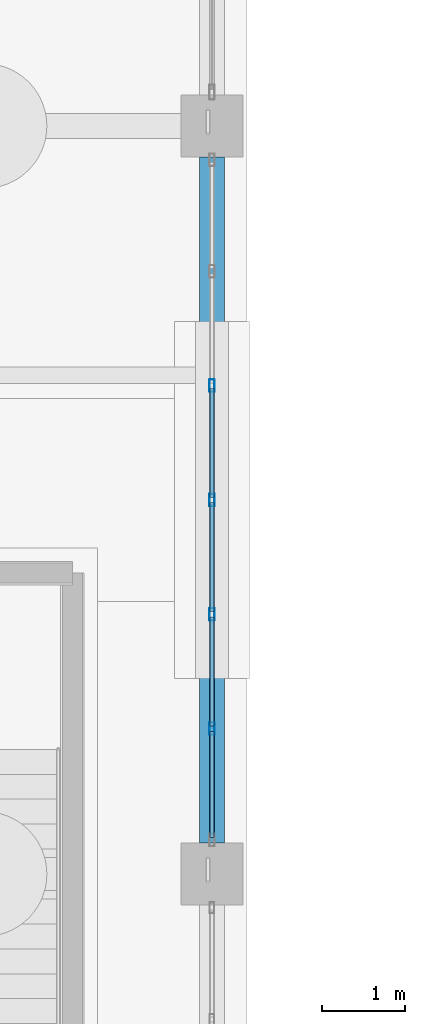
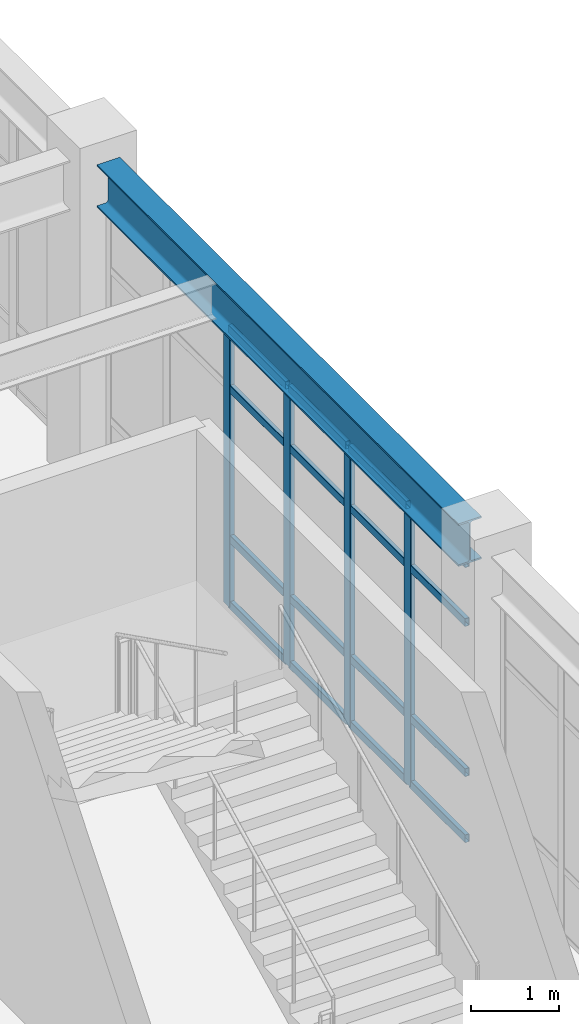
# One storey, part 75 of 139: 20 members, 1 beam, 1 element without a shape of its own.
"""IFC4 building model written with IfcOpenShell, lengths in metres."""

from ifc_helpers import new_model, si_unit, direction, frame, origin, origin_2d, place, context, subcontext, project, spatial, hollow_rectangle, i_section, extrude, material, material_profile, profile_set, type_object, element, aggregate, save


model = new_model("IFC4")

# Units and contexts
model_context = context("Model", 3, precision=1e-05, world=origin(), true_north=direction((0.0, 1.0)))
body_context = subcontext(model_context, "Body", "Model", "MODEL_VIEW")
ifc_project = project(units=[si_unit("LENGTHUNIT", "METRE"), si_unit("AREAUNIT", "SQUARE_METRE"), si_unit("VOLUMEUNIT", "CUBIC_METRE"), si_unit("PLANEANGLEUNIT", "RADIAN"), si_unit("MASSUNIT", "GRAM", prefix="KILO")], contexts=[model_context])

# Site, building, storey
site_placement = place(None, origin())
site = spatial("IfcSite", under=ifc_project, at=site_placement, CompositionType="ELEMENT")
building_placement = place(site_placement, origin())
building = spatial("IfcBuilding", under=site, at=building_placement, Name="Canglan Escarpment Cableway Terminal", CompositionType="ELEMENT")
storey_placement = place(building_placement, frame((0.0, 0.0, 14.39990234375)))
storey = spatial("IfcBuildingStorey", under=building, at=storey_placement, Name="L03", CompositionType="ELEMENT", Elevation=14.39990234375)

# Beam
ifc_material_1 = material(Name="Steel Q355C", Category="steel")
ifc_material_profile_1 = material_profile(ifc_material_1, i_section(OverallWidth=0.302001953125, OverallDepth=0.593994140625, WebThickness=0.013916015625, FlangeThickness=0.02294921875, FilletRadius=0.028076171875, at=origin_2d()), Name="HM 594x302x14x23")
ifc_profile_set_1 = profile_set([ifc_material_profile_1], Name="Steel Q355C")
beam_type = type_object("IfcBeamType", Name="BM-HM594", PredefinedType="BEAM", material=ifc_profile_set_1)
beam_placement = place(storey_placement, frame((166.39990234375, 97.375, 4.203125), z_axis=(0.0, 1.0, 0.0), x_axis=(-1.0, 0.0, 0.0)))
element("IfcBeam", 1, at=beam_placement, inside=storey, type_object=beam_type, Name="Primary transverse girder B-07", PredefinedType="BEAM", context=body_context, shape_type="SweptSolid", body=[
    extrude(i_section(OverallWidth=0.302001953125, OverallDepth=0.593994140625, WebThickness=0.013916015625, FlangeThickness=0.02294921875, FilletRadius=0.028076171875, at=origin_2d()), origin(), (0.0, 0.0, 1.0), 8.25),
])

# Curtain wall, members
ifc_material_2 = material(Name="Anodized bronze aluminium and Low-E double glazing", Category="aluminium")
curtain_wall_type = type_object("IfcCurtainWallType", Name="CW-BAY-8250x3900", PredefinedType="NOTDEFINED", material=ifc_material_2)
curtain_wall_placement = place(storey_placement, origin())
curtain_wall = element("IfcCurtainWall", 2, at=curtain_wall_placement, inside=storey, type_object=curtain_wall_type, Name="Classical bay-between-piers glazed curtain wall CW-62", PredefinedType="NOTDEFINED")
ifc_material_3 = material(Name="Thermally broken anodized aluminium 6063-T6", Category="aluminium")
ifc_material_profile_2 = material_profile(ifc_material_3, hollow_rectangle(XDim=0.06494140625, YDim=0.14990234375, WallThickness=0.00341796875, InnerFilletRadius=0.00341796875, OuterFilletRadius=0.007080078125, at=origin_2d()), Name="ALU-MULL 65x150x3.5")
ifc_profile_set_2 = profile_set([ifc_material_profile_2], Name="Thermally broken anodized aluminium 6063-T6")
member_type_1 = type_object("IfcMemberType", Name="CWM-02", PredefinedType="MULLION", material=ifc_profile_set_2)
member_1_placement = place(storey_placement, frame((166.39990234375, 98.75, 0.0), z_axis=(0.0, 0.0, 1.0), x_axis=(-1.0, 0.0, 0.0)))
member_1 = element("IfcMember", 3, at=member_1_placement, type_object=member_type_1, Name="CW-62 mullion 2", PredefinedType="MULLION", context=body_context, shape_type="SweptSolid", body=[
    extrude(hollow_rectangle(XDim=0.06494140625, YDim=0.14990234375, WallThickness=0.00341796875, InnerFilletRadius=0.00341796875, OuterFilletRadius=0.007080078125, at=origin_2d()), origin(), (0.0, 0.0, 1.0), 3.89111328125),
])
member_2_placement = place(storey_placement, frame((166.39990234375, 100.125, 0.0), z_axis=(0.0, 0.0, 1.0), x_axis=(-1.0, 0.0, 0.0)))
member_2 = element("IfcMember", 4, at=member_2_placement, type_object=member_type_1, Name="CW-62 mullion 3", PredefinedType="MULLION", context=body_context, shape_type="SweptSolid", body=[
    extrude(hollow_rectangle(XDim=0.06494140625, YDim=0.14990234375, WallThickness=0.00341796875, InnerFilletRadius=0.00341796875, OuterFilletRadius=0.007080078125, at=origin_2d()), origin(), (0.0, 0.0, 1.0), 3.89111328125),
])
member_3_placement = place(storey_placement, frame((166.39990234375, 101.5, 0.0), z_axis=(0.0, 0.0, 1.0), x_axis=(-1.0, 0.0, 0.0)))
member_3 = element("IfcMember", 5, at=member_3_placement, type_object=member_type_1, Name="CW-62 mullion 4", PredefinedType="MULLION", context=body_context, shape_type="SweptSolid", body=[
    extrude(hollow_rectangle(XDim=0.06494140625, YDim=0.14990234375, WallThickness=0.00341796875, InnerFilletRadius=0.00341796875, OuterFilletRadius=0.007080078125, at=origin_2d()), origin(), (0.0, 0.0, 1.0), 3.89111328125),
])
member_4_placement = place(storey_placement, frame((166.39990234375, 102.875, 0.0), z_axis=(0.0, 0.0, 1.0), x_axis=(-1.0, 0.0, 0.0)))
member_4 = element("IfcMember", 6, at=member_4_placement, type_object=member_type_1, Name="CW-62 mullion 5", PredefinedType="MULLION", context=body_context, shape_type="SweptSolid", body=[
    extrude(hollow_rectangle(XDim=0.06494140625, YDim=0.14990234375, WallThickness=0.00341796875, InnerFilletRadius=0.00341796875, OuterFilletRadius=0.007080078125, at=origin_2d()), origin(), (0.0, 0.0, 1.0), 3.89111328125),
])
ifc_material_profile_3 = material_profile(ifc_material_3, hollow_rectangle(XDim=0.06005859375, YDim=0.110107421875, WallThickness=0.0029296875, InnerFilletRadius=0.0029296875, OuterFilletRadius=0.006103515625, at=origin_2d()), Name="ALU-TRAN 60x110x3")
ifc_profile_set_3 = profile_set([ifc_material_profile_3], Name="Thermally broken anodized aluminium 6063-T6")
member_type_2 = type_object("IfcMemberType", Name="CWT-02", PredefinedType="USERDEFINED", material=ifc_profile_set_3)
member_5_placement = place(storey_placement, frame((166.39990234375, 97.43994140625, 0.030029296875), z_axis=(0.0, 1.0, 0.0), x_axis=(-1.0, 0.0, 0.0)))
member_5 = element("IfcMember", 7, at=member_5_placement, type_object=member_type_2, Name="CW-62 transom 1.1", ObjectType="TRANSOM", PredefinedType="USERDEFINED", context=body_context, shape_type="SweptSolid", body=[
    extrude(hollow_rectangle(XDim=0.06005859375, YDim=0.110107421875, WallThickness=0.0029296875, InnerFilletRadius=0.0029296875, OuterFilletRadius=0.006103515625, at=origin_2d()), origin(), (0.0, 0.0, 1.0), 1.277587890625),
])
member_6_placement = place(storey_placement, frame((166.39990234375, 97.43994140625, 0.9501953125), z_axis=(0.0, 1.0, 0.0), x_axis=(-1.0, 0.0, 0.0)))
member_6 = element("IfcMember", 8, at=member_6_placement, type_object=member_type_2, Name="CW-62 transom 1.2", ObjectType="TRANSOM", PredefinedType="USERDEFINED", context=body_context, shape_type="SweptSolid", body=[
    extrude(hollow_rectangle(XDim=0.06005859375, YDim=0.110107421875, WallThickness=0.0029296875, InnerFilletRadius=0.0029296875, OuterFilletRadius=0.006103515625, at=origin_2d()), origin(), (0.0, 0.0, 1.0), 1.277587890625),
])
member_7_placement = place(storey_placement, frame((166.39990234375, 97.43994140625, 3.041015625), z_axis=(0.0, 1.0, 0.0), x_axis=(-1.0, 0.0, 0.0)))
member_7 = element("IfcMember", 9, at=member_7_placement, type_object=member_type_2, Name="CW-62 transom 1.3", ObjectType="TRANSOM", PredefinedType="USERDEFINED", context=body_context, shape_type="SweptSolid", body=[
    extrude(hollow_rectangle(XDim=0.06005859375, YDim=0.110107421875, WallThickness=0.0029296875, InnerFilletRadius=0.0029296875, OuterFilletRadius=0.006103515625, at=origin_2d()), origin(), (0.0, 0.0, 1.0), 1.277587890625),
])
member_8_placement = place(storey_placement, frame((166.39990234375, 97.43994140625, 3.861083984375), z_axis=(0.0, 1.0, 0.0), x_axis=(-1.0, 0.0, 0.0)))
member_8 = element("IfcMember", 10, at=member_8_placement, type_object=member_type_2, Name="CW-62 transom 1.4", ObjectType="TRANSOM", PredefinedType="USERDEFINED", context=body_context, shape_type="SweptSolid", body=[
    extrude(hollow_rectangle(XDim=0.06005859375, YDim=0.110107421875, WallThickness=0.0029296875, InnerFilletRadius=0.0029296875, OuterFilletRadius=0.006103515625, at=origin_2d()), origin(), (0.0, 0.0, 1.0), 1.277587890625),
])
member_9_placement = place(storey_placement, frame((166.39990234375, 98.782470703125, 0.030029296875), z_axis=(0.0, 1.0, 0.0), x_axis=(-1.0, 0.0, 0.0)))
member_9 = element("IfcMember", 11, at=member_9_placement, type_object=member_type_2, Name="CW-62 transom 2.1", ObjectType="TRANSOM", PredefinedType="USERDEFINED", context=body_context, shape_type="SweptSolid", body=[
    extrude(hollow_rectangle(XDim=0.06005859375, YDim=0.110107421875, WallThickness=0.0029296875, InnerFilletRadius=0.0029296875, OuterFilletRadius=0.006103515625, at=origin_2d()), origin(), (0.0, 0.0, 1.0), 1.31005859375),
])
member_10_placement = place(storey_placement, frame((166.39990234375, 98.782470703125, 0.9501953125), z_axis=(0.0, 1.0, 0.0), x_axis=(-1.0, 0.0, 0.0)))
member_10 = element("IfcMember", 12, at=member_10_placement, type_object=member_type_2, Name="CW-62 transom 2.2", ObjectType="TRANSOM", PredefinedType="USERDEFINED", context=body_context, shape_type="SweptSolid", body=[
    extrude(hollow_rectangle(XDim=0.06005859375, YDim=0.110107421875, WallThickness=0.0029296875, InnerFilletRadius=0.0029296875, OuterFilletRadius=0.006103515625, at=origin_2d()), origin(), (0.0, 0.0, 1.0), 1.31005859375),
])
member_11_placement = place(storey_placement, frame((166.39990234375, 98.782470703125, 3.041015625), z_axis=(0.0, 1.0, 0.0), x_axis=(-1.0, 0.0, 0.0)))
member_11 = element("IfcMember", 13, at=member_11_placement, type_object=member_type_2, Name="CW-62 transom 2.3", ObjectType="TRANSOM", PredefinedType="USERDEFINED", context=body_context, shape_type="SweptSolid", body=[
    extrude(hollow_rectangle(XDim=0.06005859375, YDim=0.110107421875, WallThickness=0.0029296875, InnerFilletRadius=0.0029296875, OuterFilletRadius=0.006103515625, at=origin_2d()), origin(), (0.0, 0.0, 1.0), 1.31005859375),
])
member_12_placement = place(storey_placement, frame((166.39990234375, 98.782470703125, 3.861083984375), z_axis=(0.0, 1.0, 0.0), x_axis=(-1.0, 0.0, 0.0)))
member_12 = element("IfcMember", 14, at=member_12_placement, type_object=member_type_2, Name="CW-62 transom 2.4", ObjectType="TRANSOM", PredefinedType="USERDEFINED", context=body_context, shape_type="SweptSolid", body=[
    extrude(hollow_rectangle(XDim=0.06005859375, YDim=0.110107421875, WallThickness=0.0029296875, InnerFilletRadius=0.0029296875, OuterFilletRadius=0.006103515625, at=origin_2d()), origin(), (0.0, 0.0, 1.0), 1.31005859375),
])
member_13_placement = place(storey_placement, frame((166.39990234375, 100.157470703125, 0.030029296875), z_axis=(0.0, 1.0, 0.0), x_axis=(-1.0, 0.0, 0.0)))
member_13 = element("IfcMember", 15, at=member_13_placement, type_object=member_type_2, Name="CW-62 transom 3.1", ObjectType="TRANSOM", PredefinedType="USERDEFINED", context=body_context, shape_type="SweptSolid", body=[
    extrude(hollow_rectangle(XDim=0.06005859375, YDim=0.110107421875, WallThickness=0.0029296875, InnerFilletRadius=0.0029296875, OuterFilletRadius=0.006103515625, at=origin_2d()), origin(), (0.0, 0.0, 1.0), 1.31005859375),
])
member_14_placement = place(storey_placement, frame((166.39990234375, 100.157470703125, 0.9501953125), z_axis=(0.0, 1.0, 0.0), x_axis=(-1.0, 0.0, 0.0)))
member_14 = element("IfcMember", 16, at=member_14_placement, type_object=member_type_2, Name="CW-62 transom 3.2", ObjectType="TRANSOM", PredefinedType="USERDEFINED", context=body_context, shape_type="SweptSolid", body=[
    extrude(hollow_rectangle(XDim=0.06005859375, YDim=0.110107421875, WallThickness=0.0029296875, InnerFilletRadius=0.0029296875, OuterFilletRadius=0.006103515625, at=origin_2d()), origin(), (0.0, 0.0, 1.0), 1.31005859375),
])
member_15_placement = place(storey_placement, frame((166.39990234375, 100.157470703125, 3.041015625), z_axis=(0.0, 1.0, 0.0), x_axis=(-1.0, 0.0, 0.0)))
member_15 = element("IfcMember", 17, at=member_15_placement, type_object=member_type_2, Name="CW-62 transom 3.3", ObjectType="TRANSOM", PredefinedType="USERDEFINED", context=body_context, shape_type="SweptSolid", body=[
    extrude(hollow_rectangle(XDim=0.06005859375, YDim=0.110107421875, WallThickness=0.0029296875, InnerFilletRadius=0.0029296875, OuterFilletRadius=0.006103515625, at=origin_2d()), origin(), (0.0, 0.0, 1.0), 1.31005859375),
])
member_16_placement = place(storey_placement, frame((166.39990234375, 100.157470703125, 3.861083984375), z_axis=(0.0, 1.0, 0.0), x_axis=(-1.0, 0.0, 0.0)))
member_16 = element("IfcMember", 18, at=member_16_placement, type_object=member_type_2, Name="CW-62 transom 3.4", ObjectType="TRANSOM", PredefinedType="USERDEFINED", context=body_context, shape_type="SweptSolid", body=[
    extrude(hollow_rectangle(XDim=0.06005859375, YDim=0.110107421875, WallThickness=0.0029296875, InnerFilletRadius=0.0029296875, OuterFilletRadius=0.006103515625, at=origin_2d()), origin(), (0.0, 0.0, 1.0), 1.31005859375),
])
member_17_placement = place(storey_placement, frame((166.39990234375, 101.532470703125, 0.030029296875), z_axis=(0.0, 1.0, 0.0), x_axis=(-1.0, 0.0, 0.0)))
member_17 = element("IfcMember", 19, at=member_17_placement, type_object=member_type_2, Name="CW-62 transom 4.1", ObjectType="TRANSOM", PredefinedType="USERDEFINED", context=body_context, shape_type="SweptSolid", body=[
    extrude(hollow_rectangle(XDim=0.06005859375, YDim=0.110107421875, WallThickness=0.0029296875, InnerFilletRadius=0.0029296875, OuterFilletRadius=0.006103515625, at=origin_2d()), origin(), (0.0, 0.0, 1.0), 1.31005859375),
])
member_18_placement = place(storey_placement, frame((166.39990234375, 101.532470703125, 0.9501953125), z_axis=(0.0, 1.0, 0.0), x_axis=(-1.0, 0.0, 0.0)))
member_18 = element("IfcMember", 20, at=member_18_placement, type_object=member_type_2, Name="CW-62 transom 4.2", ObjectType="TRANSOM", PredefinedType="USERDEFINED", context=body_context, shape_type="SweptSolid", body=[
    extrude(hollow_rectangle(XDim=0.06005859375, YDim=0.110107421875, WallThickness=0.0029296875, InnerFilletRadius=0.0029296875, OuterFilletRadius=0.006103515625, at=origin_2d()), origin(), (0.0, 0.0, 1.0), 1.31005859375),
])
member_19_placement = place(storey_placement, frame((166.39990234375, 101.532470703125, 3.041015625), z_axis=(0.0, 1.0, 0.0), x_axis=(-1.0, 0.0, 0.0)))
member_19 = element("IfcMember", 21, at=member_19_placement, type_object=member_type_2, Name="CW-62 transom 4.3", ObjectType="TRANSOM", PredefinedType="USERDEFINED", context=body_context, shape_type="SweptSolid", body=[
    extrude(hollow_rectangle(XDim=0.06005859375, YDim=0.110107421875, WallThickness=0.0029296875, InnerFilletRadius=0.0029296875, OuterFilletRadius=0.006103515625, at=origin_2d()), origin(), (0.0, 0.0, 1.0), 1.31005859375),
])
member_20_placement = place(storey_placement, frame((166.39990234375, 101.532470703125, 3.861083984375), z_axis=(0.0, 1.0, 0.0), x_axis=(-1.0, 0.0, 0.0)))
member_20 = element("IfcMember", 22, at=member_20_placement, type_object=member_type_2, Name="CW-62 transom 4.4", ObjectType="TRANSOM", PredefinedType="USERDEFINED", context=body_context, shape_type="SweptSolid", body=[
    extrude(hollow_rectangle(XDim=0.06005859375, YDim=0.110107421875, WallThickness=0.0029296875, InnerFilletRadius=0.0029296875, OuterFilletRadius=0.006103515625, at=origin_2d()), origin(), (0.0, 0.0, 1.0), 1.31005859375),
])
aggregate(curtain_wall, [member_1, member_2, member_3, member_4, member_5, member_6, member_7, member_8, member_9, member_10, member_11, member_12, member_13, member_14, member_15, member_16, member_17, member_18, member_19, member_20])

save(model, "model.ifc")
